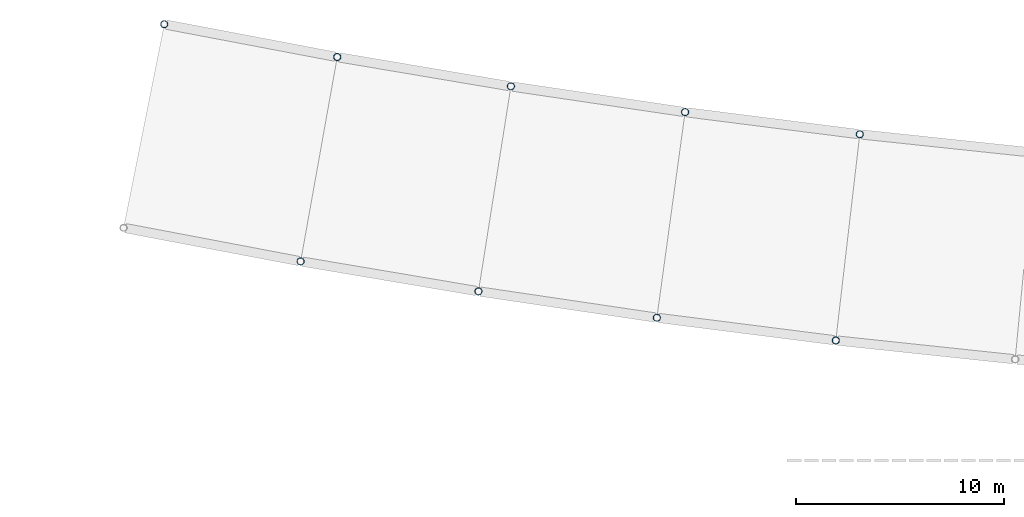
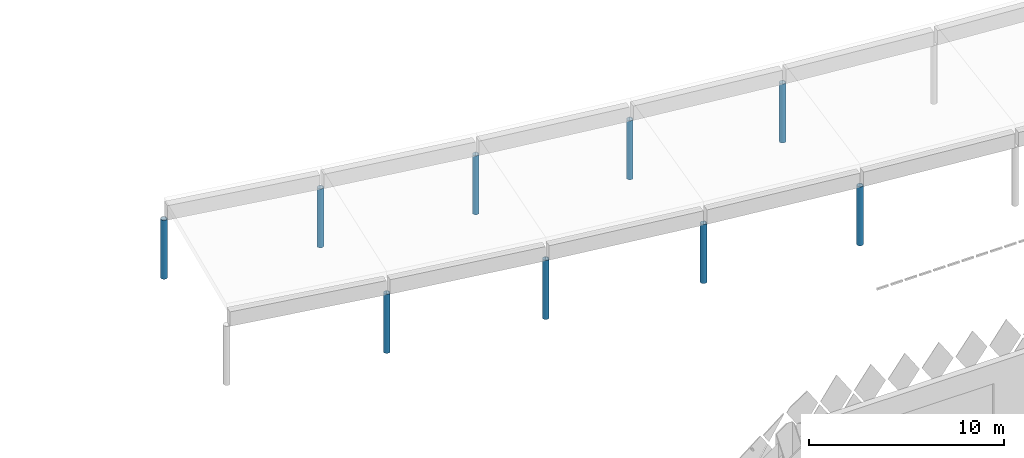
# One storey, part 8 of 185: 9 columns.
"""IFC4 building model written with IfcOpenShell, lengths in metres."""

import ifcopenshell
import ifcopenshell.guid

model = None  # the IFC model being written
_history = None  # IfcOwnerHistory: only IFC2X3 demands one
_inside = {}  # id of a spatial element -> (the spatial element, [elements in it])
_under = {}  # id of a project, library or spatial element -> (it, [spatial elements below it])
_declared = {}  # id of a project -> (the project, [libraries it declares])
_typed = {}  # id of a type object -> (the type object, [elements of that type])
_made_of = {}  # id of a material, layer set ... -> (it, [elements and type objects made of it])


def new_model(schema):
    """Start an empty IFC model of exactly this schema.

    Asked for "IFC4X3", IfcOpenShell would pick the latest addendum, in which some entities
    have other attributes; the version numbers below select the first issue.
    IFC2X3 requires an IfcOwnerHistory on every rooted entity: one is made here for all.
    """
    global model, _history
    if schema == "IFC4X3":
        model = ifcopenshell.file(schema_version=(4, 3, 0, 0))
    else:
        model = ifcopenshell.file(schema=schema)
    _inside.clear()
    _under.clear()
    _declared.clear()
    _typed.clear()
    _made_of.clear()
    _history = None
    if model.schema == "IFC2X3":
        org = make("IfcOrganization", Name="unknown")
        user = make(
            "IfcPersonAndOrganization",
            ThePerson=make("IfcPerson", FamilyName="unknown"),
            TheOrganization=org,
        )
        app = make(
            "IfcApplication",
            ApplicationDeveloper=org,
            Version="unknown",
            ApplicationFullName="unknown",
            ApplicationIdentifier="unknown",
        )
        _history = make(
            "IfcOwnerHistory",
            OwningUser=user,
            OwningApplication=app,
            ChangeAction="ADDED",
            CreationDate=0,
        )
    return model


def make(cls, **values):
    """One entity of the class cls with the attributes given. An attribute that is None is left unset."""
    return model.create_entity(
        cls, **{name: value for name, value in values.items() if value is not None}
    )


def rooted(cls, **values):
    """An entity with a GlobalId (a new one), such as an element, a storey or a relation."""
    return make(cls, GlobalId=ifcopenshell.guid.new(), OwnerHistory=_history, **values)


def si_unit(unit_type, name, prefix=None):
    """IfcSIUnit, for example si_unit("LENGTHUNIT", "METRE", prefix="MILLI")."""
    return make("IfcSIUnit", UnitType=unit_type, Prefix=prefix, Name=name)


def assignment(units):
    """IfcUnitAssignment: the units of a project."""
    return None if units is None else make("IfcUnitAssignment", Units=units)


def point(xyz):
    """IfcCartesianPoint."""
    return None if xyz is None else make("IfcCartesianPoint", Coordinates=xyz)


def direction(xyz):
    """IfcDirection."""
    return None if xyz is None else make("IfcDirection", DirectionRatios=xyz)


def frame(location, z_axis=None, x_axis=None):
    """IfcAxis2Placement3D, a coordinate frame: its origin and axes. An axis left out is left unset."""
    return make(
        "IfcAxis2Placement3D",
        Location=point(location),
        Axis=direction(z_axis),
        RefDirection=direction(x_axis),
    )


def frame_2d(location, x_axis=None):
    """IfcAxis2Placement2D, a coordinate frame in the plane: its origin and x axis."""
    return make(
        "IfcAxis2Placement2D", Location=point(location), RefDirection=direction(x_axis)
    )


def origin():
    """The frame at (0, 0, 0) with its axes left unset."""
    return frame((0.0, 0.0, 0.0))


def origin_2d():
    """The frame at (0, 0) in the plane with its x axis left unset."""
    return frame_2d((0.0, 0.0))


def place(relative_to, where):
    """IfcLocalPlacement: puts the frame where relative to a parent placement (None: the world)."""
    return make(
        "IfcLocalPlacement", PlacementRelTo=relative_to, RelativePlacement=where
    )


def context(
    kind, dimensions, precision=None, world=None, true_north=None, identifier=None
):
    """IfcGeometricRepresentationContext, for example the 3D "Model" context."""
    return make(
        "IfcGeometricRepresentationContext",
        ContextIdentifier=identifier,
        ContextType=kind,
        CoordinateSpaceDimension=dimensions,
        Precision=precision,
        WorldCoordinateSystem=world,
        TrueNorth=true_north,
    )


def subcontext(parent, identifier, kind, view, scale=None):
    """IfcGeometricRepresentationSubContext, for example "Body" below "Model"."""
    return make(
        "IfcGeometricRepresentationSubContext",
        ContextIdentifier=identifier,
        ContextType=kind,
        ParentContext=parent,
        TargetScale=scale,
        TargetView=view,
    )


def project(units=None, contexts=None):
    """IfcProject with its units and contexts."""
    return rooted(
        "IfcProject",
        Name="project",
        RepresentationContexts=contexts,
        UnitsInContext=assignment(units),
    )


def spatial(cls, under=None, at=None, **own):
    """A site, building, storey or space (cls), placed at a placement, below another one or the project."""
    s = rooted(cls, ObjectPlacement=at, **own)
    if under is not None:
        _under.setdefault(under.id(), (under, []))[1].append(s)
    return s


def profile(cls, at=None, kind="AREA", **sizes):
    """A parametric profile (cls). Its sizes go by their IFC names, for example OverallWidth=200.0."""
    return make(cls, ProfileType=kind, Position=at, **sizes)


def hollow_circle(**sizes):
    """IfcCircleHollowProfileDef."""
    return profile("IfcCircleHollowProfileDef", **sizes)


def extrude(swept, where, along, depth):
    """IfcExtrudedAreaSolid: the profile swept, set in the frame where, extruded along a direction by depth."""
    return make(
        "IfcExtrudedAreaSolid",
        SweptArea=swept,
        Position=where,
        ExtrudedDirection=direction(along),
        Depth=depth,
    )


def shape(context_of_items, identifier, shape_type, items):
    """IfcShapeRepresentation: the items that make up one representation, for example the "Body"."""
    return make(
        "IfcShapeRepresentation",
        ContextOfItems=context_of_items,
        RepresentationIdentifier=identifier,
        RepresentationType=shape_type,
        Items=items,
    )


def material(Name=None, Category=None):
    """IfcMaterial."""
    return make("IfcMaterial", Name=Name, Category=Category)


def material_profile(
    of_material, cross_section, Name=None, Category=None, Priority=None
):
    """IfcMaterialProfile: a cross section and its material."""
    return make(
        "IfcMaterialProfile",
        Name=Name,
        Material=of_material,
        Profile=cross_section,
        Priority=Priority,
        Category=Category,
    )


def profile_set(profiles, Name=None, composite=None):
    """IfcMaterialProfileSet."""
    return make(
        "IfcMaterialProfileSet",
        Name=Name,
        MaterialProfiles=profiles,
        CompositeProfile=composite,
    )


def made_of(thing, what):
    """Note that an element or type object is made of a material, layer set ...; save() writes the relation."""
    if what is not None:
        _made_of.setdefault(what.id(), (what, []))[1].append(thing)
    return thing


def type_object(cls, material=None, **own):
    """A type object (cls), such as IfcWallType, which elements share."""
    return made_of(rooted(cls, **own), material)


def element(
    cls,
    number,
    at=None,
    inside=None,
    cuts=None,
    type_object=None,
    material=None,
    context=None,
    identifier="Body",
    shape_type=None,
    held_by="IfcProductDefinitionShape",
    body=None,
    shapes=None,
    **own,
):
    """One element of the class cls, such as IfcWall. Its Tag is "e" and its number.

    at: its placement. inside: the storey or other place that contains it. cuts: it is an
    opening in that element (IfcRelVoidsElement). A single representation is given by context,
    identifier, shape_type and body (its items); several are given by shapes. held_by: the class
    of the entity that holds the representations. save() writes the other relations.
    """
    e = rooted(cls, Tag="e%d" % number, ObjectPlacement=at, **own)
    if body is not None:
        shapes = [shape(context, identifier, shape_type, body)]
    if shapes is not None:
        e.Representation = make(held_by, Representations=shapes)
    if inside is not None:
        _inside.setdefault(inside.id(), (inside, []))[1].append(e)
    if cuts is not None:
        rooted(
            "IfcRelVoidsElement", RelatingBuildingElement=cuts, RelatedOpeningElement=e
        )
    if type_object is not None:
        _typed.setdefault(type_object.id(), (type_object, []))[1].append(e)
    return made_of(e, material)


def aggregate(whole, parts):
    """IfcRelAggregates: a whole, such as a stair, and the parts it consists of."""
    return rooted("IfcRelAggregates", RelatingObject=whole, RelatedObjects=parts)


def save(model, path):
    """Write the relations noted so far, then the file.

    IfcRelAggregates (storeys below a building ...), IfcRelContainedInSpatialStructure (elements
    in a storey), IfcRelDefinesByType, IfcRelAssociatesMaterial and IfcRelDeclares: one each for
    every whole, place, type object, material and project.
    """
    for whole, parts in _under.values():
        aggregate(whole, parts)
    for where, things in _inside.values():
        rooted(
            "IfcRelContainedInSpatialStructure",
            RelatedElements=things,
            RelatingStructure=where,
        )
    for kind, things in _typed.values():
        rooted("IfcRelDefinesByType", RelatedObjects=things, RelatingType=kind)
    for what, things in _made_of.values():
        rooted("IfcRelAssociatesMaterial", RelatedObjects=things, RelatingMaterial=what)
    for by, libraries in _declared.values():
        rooted("IfcRelDeclares", RelatingContext=by, RelatedDefinitions=libraries)
    model.write(path)


model = new_model("IFC4")

# Units and contexts
model_context = context("Model", 3, precision=1e-05, world=origin(), true_north=direction((0.0, 1.0)))
body_context = subcontext(model_context, "Body", "Model", "MODEL_VIEW")
ifc_project = project(units=[si_unit("LENGTHUNIT", "METRE"), si_unit("AREAUNIT", "SQUARE_METRE"), si_unit("VOLUMEUNIT", "CUBIC_METRE"), si_unit("PLANEANGLEUNIT", "RADIAN"), si_unit("MASSUNIT", "GRAM", prefix="KILO")], contexts=[model_context])

# Site, building, storey
site_placement = place(None, origin())
site = spatial("IfcSite", under=ifc_project, at=site_placement, CompositionType="ELEMENT")
building_placement = place(site_placement, origin())
building = spatial("IfcBuilding", under=site, at=building_placement, Name="Opaline Strait Convention Centre", CompositionType="ELEMENT")
storey_placement = place(building_placement, frame((0.0, 0.0, 6.0)))
storey = spatial("IfcBuildingStorey", under=building, at=storey_placement, Name="L01", CompositionType="ELEMENT", Elevation=6.0)

# Columns
ifc_material = material(Name="Steel Q355B", Category="steel")
ifc_material_profile = material_profile(ifc_material, hollow_circle(Radius=0.175537109375, WallThickness=0.01611328125, at=origin_2d()), Name="CHS 351x16")
ifc_profile_set = profile_set([ifc_material_profile], Name="Steel Q355B")
column_type = type_object("IfcColumnType", Name="Arcade column CHS 351x16", PredefinedType="COLUMN", material=ifc_profile_set)
for number, where, z_axis, x_axis, name in (
    (1, (106.550537109375, 176.07958984375, 0.0), (0.0, 0.0, 1.0), (1.0, 0.0, 0.0), "Arcade column SC-I02"),
    (2, (115.11376953125, 174.634765625, 0.0), (0.0, 0.0, 1.0), (1.0, 0.0, 0.0), "Arcade column SC-I03"),
    (3, (123.705810546875, 173.364990234375, 0.0), (0.0, 0.0, 1.0), (1.0, 0.0, 0.0), "Arcade column SC-I04"),
    (4, (132.32275390625, 172.272216796875, 0.0), (0.0, 0.0, 1.0), (1.0, 0.0, 0.0), "Arcade column SC-I05"),
    (5, (99.980712890625, 187.5029296875, 0.0), (0.0, 0.0, 1.0), (1.0, 0.0, 0.0), "Arcade column SC-O01"),
    (6, (108.314453125, 185.9228515625, 0.0), (0.0, 0.0, 1.0), (1.0, 0.0, 0.0), "Arcade column SC-O02"),
    (7, (116.67724609375, 184.51171875, 0.0), (0.0, 0.0, 1.0), (1.0, 0.0, 0.0), "Arcade column SC-O03"),
    (8, (125.066162109375, 183.27197265625, 0.0), (0.0, 0.0, 1.0), (1.0, 0.0, 0.0), "Arcade column SC-O04"),
    (9, (133.47802734375, 182.205078125, 0.0), (0.0, 0.0, 1.0), (1.0, 0.0, 0.0), "Arcade column SC-O05"),
):
    element("IfcColumn", number, at=place(storey_placement, frame(where, z_axis=z_axis, x_axis=x_axis)), inside=storey, type_object=column_type, Name=name, ObjectType="SCC1", PredefinedType="COLUMN", context=body_context, shape_type="SweptSolid", body=[
        extrude(hollow_circle(Radius=0.175537109375, WallThickness=0.01611328125, at=origin_2d()), origin(), (0.0, 0.0, 1.0), 3.68505859375),
    ])

save(model, "model.ifc")
